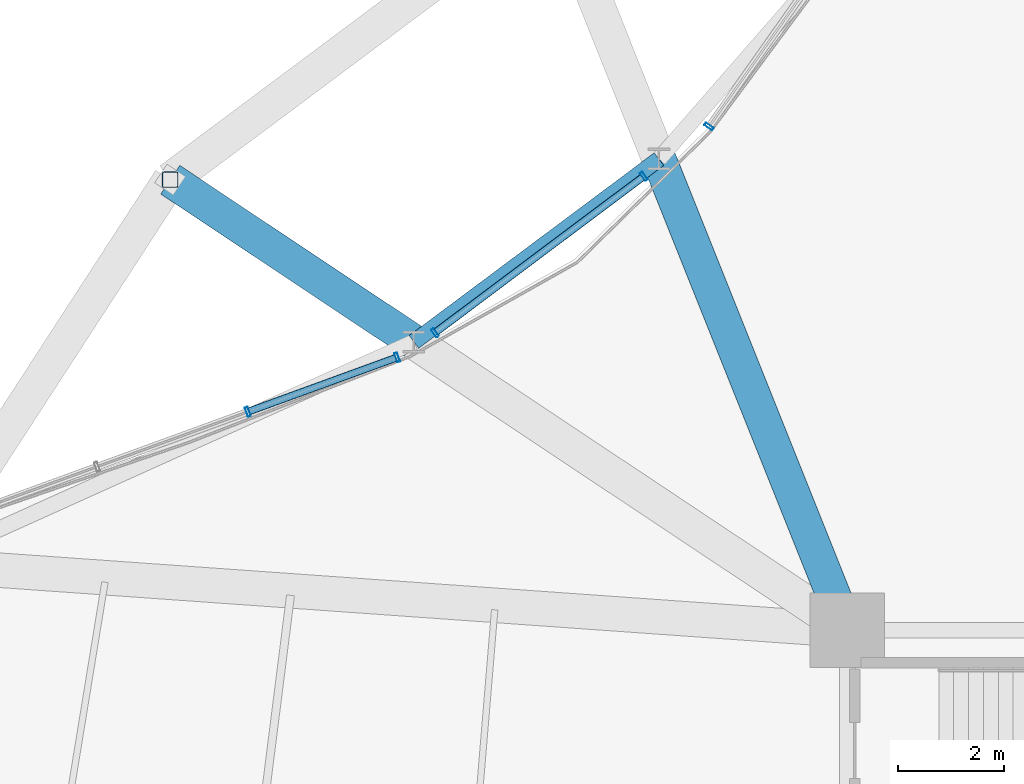
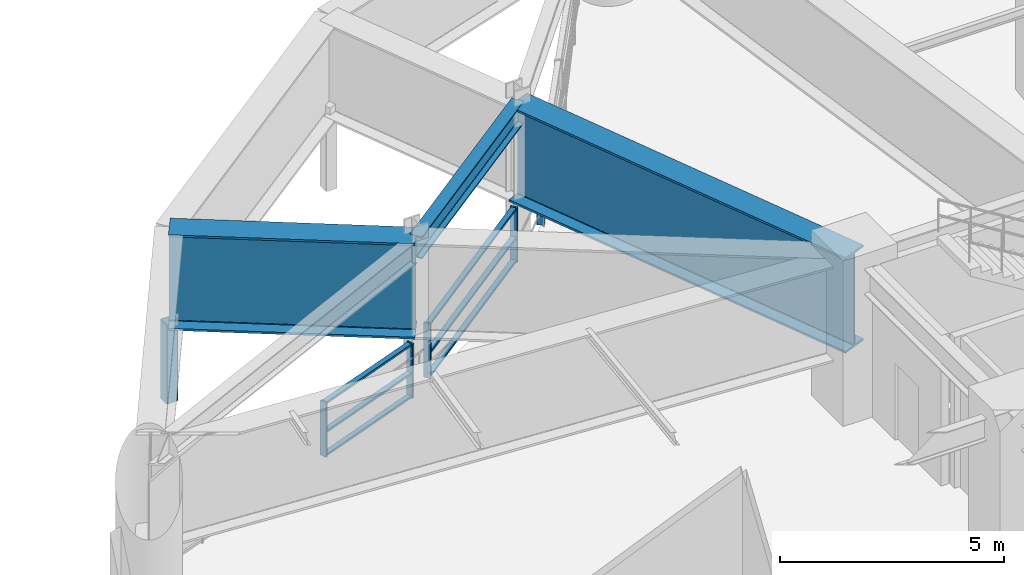
# One storey, part 31 of 53: 12 members, 3 beams, 3 elements without a shape of their own.
"""IFC4 building model written with IfcOpenShell, lengths in metres."""

from ifc_helpers import new_model, si_unit, direction, frame, origin, origin_2d, place, context, subcontext, project, spatial, hollow_rectangle, i_section, extrude, material, layer, layer_set, material_profile, profile_set, type_object, element, aggregate, save


model = new_model("IFC4")

# Units and contexts
model_context = context("Model", 3, precision=1e-05, world=origin(), true_north=direction((0.0, 1.0)))
body_context = subcontext(model_context, "Body", "Model", "MODEL_VIEW")
ifc_project = project(units=[si_unit("LENGTHUNIT", "METRE"), si_unit("AREAUNIT", "SQUARE_METRE"), si_unit("VOLUMEUNIT", "CUBIC_METRE"), si_unit("PLANEANGLEUNIT", "RADIAN"), si_unit("MASSUNIT", "GRAM", prefix="KILO")], contexts=[model_context])

# Site, building, storey
site_placement = place(None, origin())
site = spatial("IfcSite", under=ifc_project, at=site_placement, CompositionType="ELEMENT")
building_placement = place(site_placement, origin())
building = spatial("IfcBuilding", under=site, at=building_placement, Name="Kelanora Arch Commons", CompositionType="ELEMENT")
storey_placement = place(building_placement, frame((0.0, 0.0, 9.0)))
storey = spatial("IfcBuildingStorey", under=building, at=storey_placement, Name="L02", CompositionType="ELEMENT", Elevation=9.0)

# Beams
ifc_material_1 = material(Name="Steel S355", Category="steel")
ifc_material_profile_1 = material_profile(ifc_material_1, i_section(OverallWidth=0.300048828125, OverallDepth=0.60009765625, WebThickness=0.015380859375, FlangeThickness=0.030029296875, FilletRadius=0.027099609375, at=origin_2d()), Name="HEB600")
ifc_profile_set_1 = profile_set([ifc_material_profile_1], Name="Steel S355")
beam_type_1 = type_object("IfcBeamType", Name="BM-SPN-Z1", PredefinedType="SPANDREL", material=ifc_profile_set_1)
beam_1_placement = place(storey_placement, frame((62.454345703125, 73.866455078125, 3.800048828125), z_axis=(-0.801474401239, -0.598029083038, 0.0), x_axis=(0.598029083038, -0.801474401239, 0.0)))
element("IfcBeam", 1, at=beam_1_placement, inside=storey, type_object=beam_type_1, Name="Courtyard Inner Edge Spandrel BSC-12 L02", PredefinedType="SPANDREL", context=body_context, shape_type="SweptSolid", body=[
    extrude(i_section(OverallWidth=0.300048828125, OverallDepth=0.60009765625, WebThickness=0.015380859375, FlangeThickness=0.030029296875, FilletRadius=0.027099609375, at=origin_2d()), origin(), (0.0, 0.0, 1.0), 5.7529296875),
])
ifc_material_profile_2 = material_profile(ifc_material_1, i_section(OverallWidth=0.64990234375, OverallDepth=2.60009765625, WebThickness=0.034912109375, FlangeThickness=0.054931640625, FilletRadius=0.028076171875, at=origin_2d()), Name="PG2600x650")
ifc_profile_set_2 = profile_set([ifc_material_profile_2], Name="Steel S355")
beam_type_2 = type_object("IfcBeamType", Name="BM-XFER-ARCH", PredefinedType="USERDEFINED", material=ifc_profile_set_2)
beam_2_placement = place(storey_placement, frame((66.0, 65.0, 2.800048828125), z_axis=(-0.371306921468, 0.928510188458, 0.0), x_axis=(-0.928510188458, -0.371306921468, 0.0)))
element("IfcBeam", 2, at=beam_2_placement, inside=storey, type_object=beam_type_2, Name="Radial Inner Transfer Girder BRI-12 L02", ObjectType="TRANSFER_GIRDER", PredefinedType="USERDEFINED", context=body_context, shape_type="SweptSolid", body=[
    extrude(i_section(OverallWidth=0.64990234375, OverallDepth=2.60009765625, WebThickness=0.034912109375, FlangeThickness=0.054931640625, FilletRadius=0.028076171875, at=origin_2d()), origin(), (0.0, 0.0, 1.0), 9.549072265625),
])
beam_3_placement = place(storey_placement, frame((57.843505859375, 70.426025390625, 2.800048828125), z_axis=(-0.832581573439, 0.553902449507, 0.0), x_axis=(-0.553902449507, -0.832581573439, 0.0)))
element("IfcBeam", 3, at=beam_3_placement, inside=storey, type_object=beam_type_2, Name="Radial Floor Girder BR-14 L02", ObjectType="TRANSFER_GIRDER", PredefinedType="USERDEFINED", context=body_context, shape_type="SweptSolid", body=[
    extrude(i_section(OverallWidth=0.64990234375, OverallDepth=2.60009765625, WebThickness=0.034912109375, FlangeThickness=0.054931640625, FilletRadius=0.028076171875, at=origin_2d()), origin(), (0.0, 0.0, 1.0), 5.510498046875),
])

# Curtain wall, member
ifc_material_2 = material(Name="Terracotta ceramic-fritted low-E glass and aluminium", Category="masonry")
ifc_layer = layer(ifc_material_2, 0.2099609375)
ifc_layer_set = layer_set([ifc_layer], Name="Terracotta ceramic-fritted low-E glass and aluminium")
curtain_wall_type = type_object("IfcCurtainWallType", Name="CW-SYS-04", PredefinedType="NOTDEFINED", material=ifc_layer_set)
curtain_wall_1_placement = place(storey_placement, origin())
curtain_wall_1 = element("IfcCurtainWall", 4, at=curtain_wall_1_placement, inside=storey, type_object=curtain_wall_type, Name="Unitised Curtain Wall L02-B05", PredefinedType="NOTDEFINED")
ifc_material_3 = material(Name="Powder-coated aluminium terracotta", Category="masonry")
ifc_material_profile_3 = material_profile(ifc_material_3, hollow_rectangle(XDim=0.179931640625, YDim=0.06005859375, WallThickness=0.0048828125, InnerFilletRadius=0.0048828125, OuterFilletRadius=0.010009765625, at=origin_2d()), Name="CWM180x60")
ifc_profile_set_3 = profile_set([ifc_material_profile_3], Name="Powder-coated aluminium terracotta")
member_type_1 = type_object("IfcMemberType", Name="CWM-HVY", PredefinedType="MULLION", material=ifc_profile_set_3)
member_1_placement = place(storey_placement, frame((63.39501953125, 74.477294921875, 0.0), z_axis=(0.0, 0.0, 1.0), x_axis=(0.817206133555, -0.576345499922, 0.0)))
member_1 = element("IfcMember", 5, at=member_1_placement, type_object=member_type_1, Name="CW-04 mullion 3", PredefinedType="MULLION", context=body_context, shape_type="SweptSolid", body=[
    extrude(hollow_rectangle(XDim=0.179931640625, YDim=0.06005859375, WallThickness=0.0048828125, InnerFilletRadius=0.0048828125, OuterFilletRadius=0.010009765625, at=origin_2d()), origin(), (0.0, 0.0, 1.0), 1.47998046875),
])
aggregate(curtain_wall_1, [member_1])

# Curtain wall, members
curtain_wall_2_placement = place(storey_placement, origin())
curtain_wall_2 = element("IfcCurtainWall", 6, at=curtain_wall_2_placement, inside=storey, type_object=curtain_wall_type, Name="Unitised Curtain Wall L02-B06", PredefinedType="NOTDEFINED")
member_2_placement = place(storey_placement, frame((62.169189453125, 73.54150390625, 0.0), z_axis=(0.0, 0.0, 1.0), x_axis=(0.599587813185, -0.80030897426, 0.0)))
member_2 = element("IfcMember", 7, at=member_2_placement, type_object=member_type_1, Name="CW-04 mullion 1", PredefinedType="MULLION", context=body_context, shape_type="SweptSolid", body=[
    extrude(hollow_rectangle(XDim=0.179931640625, YDim=0.06005859375, WallThickness=0.0048828125, InnerFilletRadius=0.0048828125, OuterFilletRadius=0.010009765625, at=origin_2d()), origin(), (0.0, 0.0, 1.0), 1.47998046875),
])
member_3_placement = place(storey_placement, frame((58.239990234375, 70.597900390625, 0.0), z_axis=(0.0, 0.0, 1.0), x_axis=(0.599587813185, -0.80030897426, 0.0)))
member_3 = element("IfcMember", 8, at=member_3_placement, type_object=member_type_1, Name="CW-04 mullion 2", PredefinedType="MULLION", context=body_context, shape_type="SweptSolid", body=[
    extrude(hollow_rectangle(XDim=0.179931640625, YDim=0.06005859375, WallThickness=0.0048828125, InnerFilletRadius=0.0048828125, OuterFilletRadius=0.010009765625, at=origin_2d()), origin(), (0.0, 0.0, 1.0), 1.47998046875),
])

curtain_wall_3_placement = place(storey_placement, origin())
curtain_wall_3 = element("IfcCurtainWall", 9, at=curtain_wall_3_placement, inside=storey, type_object=curtain_wall_type, Name="Unitised Curtain Wall L02-B07", PredefinedType="NOTDEFINED")
member_4_placement = place(storey_placement, frame((57.526611328125, 70.134765625, 0.0), z_axis=(0.0, 0.0, 1.0), x_axis=(0.342318215206, -0.939584077951, 0.0)))
member_4 = element("IfcMember", 10, at=member_4_placement, type_object=member_type_1, Name="CW-04 mullion 1", PredefinedType="MULLION", context=body_context, shape_type="SweptSolid", body=[
    extrude(hollow_rectangle(XDim=0.179931640625, YDim=0.06005859375, WallThickness=0.0048828125, InnerFilletRadius=0.0048828125, OuterFilletRadius=0.010009765625, at=origin_2d()), origin(), (0.0, 0.0, 1.0), 1.47998046875),
])
member_5_placement = place(storey_placement, frame((54.717529296875, 69.111328125, 0.0), z_axis=(0.0, 0.0, 1.0), x_axis=(0.342318215206, -0.939584077951, 0.0)))
member_5 = element("IfcMember", 11, at=member_5_placement, type_object=member_type_1, Name="CW-04 mullion 2", PredefinedType="MULLION", context=body_context, shape_type="SweptSolid", body=[
    extrude(hollow_rectangle(XDim=0.179931640625, YDim=0.06005859375, WallThickness=0.0048828125, InnerFilletRadius=0.0048828125, OuterFilletRadius=0.010009765625, at=origin_2d()), origin(), (0.0, 0.0, 1.0), 1.47998046875),
])

# Member
ifc_material_profile_4 = material_profile(ifc_material_3, hollow_rectangle(XDim=0.139892578125, YDim=0.06005859375, WallThickness=0.0048828125, InnerFilletRadius=0.0048828125, OuterFilletRadius=0.010009765625, at=origin_2d()), Name="CWT140x60")
ifc_profile_set_4 = profile_set([ifc_material_profile_4], Name="Powder-coated aluminium terracotta")
member_type_2 = type_object("IfcMemberType", Name="CWT-HVY", PredefinedType="USERDEFINED", material=ifc_profile_set_4)
member_6_placement = place(storey_placement, frame((62.145263671875, 73.5234375, 0.030029296875), z_axis=(-0.800307995736, -0.599589119281, 0.0), x_axis=(0.599589119281, -0.800307995736, 0.0)))
member_6 = element("IfcMember", 12, at=member_6_placement, type_object=member_type_2, Name="CW-04 transom 1.1", ObjectType="TRANSOM", PredefinedType="USERDEFINED", context=body_context, shape_type="SweptSolid", body=[
    extrude(hollow_rectangle(XDim=0.139892578125, YDim=0.06005859375, WallThickness=0.0048828125, InnerFilletRadius=0.0048828125, OuterFilletRadius=0.010009765625, at=origin_2d()), origin(), (0.0, 0.0, 1.0), 4.849609375),
])

member_7_placement = place(storey_placement, frame((62.145263671875, 73.5234375, 0.666015625), z_axis=(-0.800307995736, -0.599589119281, 0.0), x_axis=(0.599589119281, -0.800307995736, 0.0)))
member_7 = element("IfcMember", 13, at=member_7_placement, type_object=member_type_2, Name="CW-04 transom 1.2", ObjectType="TRANSOM", PredefinedType="USERDEFINED", context=body_context, shape_type="SweptSolid", body=[
    extrude(hollow_rectangle(XDim=0.139892578125, YDim=0.06005859375, WallThickness=0.0048828125, InnerFilletRadius=0.0048828125, OuterFilletRadius=0.010009765625, at=origin_2d()), origin(), (0.0, 0.0, 1.0), 4.849609375),
])

member_8_placement = place(storey_placement, frame((62.145263671875, 73.5234375, 1.449951171875), z_axis=(-0.800307995736, -0.599589119281, 0.0), x_axis=(0.599589119281, -0.800307995736, 0.0)))
member_8 = element("IfcMember", 14, at=member_8_placement, type_object=member_type_2, Name="CW-04 transom 1.3", ObjectType="TRANSOM", PredefinedType="USERDEFINED", context=body_context, shape_type="SweptSolid", body=[
    extrude(hollow_rectangle(XDim=0.139892578125, YDim=0.06005859375, WallThickness=0.0048828125, InnerFilletRadius=0.0048828125, OuterFilletRadius=0.010009765625, at=origin_2d()), origin(), (0.0, 0.0, 1.0), 4.849609375),
])

aggregate(curtain_wall_2, [member_2, member_3, member_6, member_7, member_8])

member_9_placement = place(storey_placement, frame((57.498291015625, 70.12451171875, 0.030029296875), z_axis=(-0.939579128074, -0.342331801164, 0.0), x_axis=(0.342331801164, -0.939579128074, 0.0)))
member_9 = element("IfcMember", 15, at=member_9_placement, type_object=member_type_2, Name="CW-04 transom 1.1", ObjectType="TRANSOM", PredefinedType="USERDEFINED", context=body_context, shape_type="SweptSolid", body=[
    extrude(hollow_rectangle(XDim=0.139892578125, YDim=0.06005859375, WallThickness=0.0048828125, InnerFilletRadius=0.0048828125, OuterFilletRadius=0.010009765625, at=origin_2d()), origin(), (0.0, 0.0, 1.0), 2.9296875),
])

member_10_placement = place(storey_placement, frame((57.498291015625, 70.12451171875, 0.666015625), z_axis=(-0.939579128074, -0.342331801164, 0.0), x_axis=(0.342331801164, -0.939579128074, 0.0)))
member_10 = element("IfcMember", 16, at=member_10_placement, type_object=member_type_2, Name="CW-04 transom 1.2", ObjectType="TRANSOM", PredefinedType="USERDEFINED", context=body_context, shape_type="SweptSolid", body=[
    extrude(hollow_rectangle(XDim=0.139892578125, YDim=0.06005859375, WallThickness=0.0048828125, InnerFilletRadius=0.0048828125, OuterFilletRadius=0.010009765625, at=origin_2d()), origin(), (0.0, 0.0, 1.0), 2.9296875),
])

member_11_placement = place(storey_placement, frame((57.498291015625, 70.12451171875, 1.449951171875), z_axis=(-0.939579128074, -0.342331801164, 0.0), x_axis=(0.342331801164, -0.939579128074, 0.0)))
member_11 = element("IfcMember", 17, at=member_11_placement, type_object=member_type_2, Name="CW-04 transom 1.3", ObjectType="TRANSOM", PredefinedType="USERDEFINED", context=body_context, shape_type="SweptSolid", body=[
    extrude(hollow_rectangle(XDim=0.139892578125, YDim=0.06005859375, WallThickness=0.0048828125, InnerFilletRadius=0.0048828125, OuterFilletRadius=0.010009765625, at=origin_2d()), origin(), (0.0, 0.0, 1.0), 2.9296875),
])

aggregate(curtain_wall_3, [member_4, member_5, member_9, member_10, member_11])

ifc_material_profile_5 = material_profile(ifc_material_1, hollow_rectangle(XDim=0.300048828125, YDim=0.300048828125, WallThickness=0.01611328125, InnerFilletRadius=0.01611328125, OuterFilletRadius=0.031982421875, at=origin_2d()), Name="SHS300x300x16")
ifc_profile_set_5 = profile_set([ifc_material_profile_5], Name="Steel S355")
member_type_3 = type_object("IfcMemberType", Name="MEM-ARCH-SPND", PredefinedType="STRUT", material=ifc_profile_set_5)
member_12_placement = place(storey_placement, frame((53.255615234375, 73.478271484375, -0.60009765625), z_axis=(0.0, 0.0, 1.0), x_axis=(1.0, 0.0, 0.0)))
element("IfcMember", 18, at=member_12_placement, inside=storey, type_object=member_type_3, Name="Courtyard Portal Spandrel Strut 14", PredefinedType="STRUT", context=body_context, shape_type="SweptSolid", body=[
    extrude(hollow_rectangle(XDim=0.300048828125, YDim=0.300048828125, WallThickness=0.01611328125, InnerFilletRadius=0.01611328125, OuterFilletRadius=0.031982421875, at=origin_2d()), origin(), (0.0, 0.0, 1.0), 2.14013671875),
])

save(model, "model.ifc")
